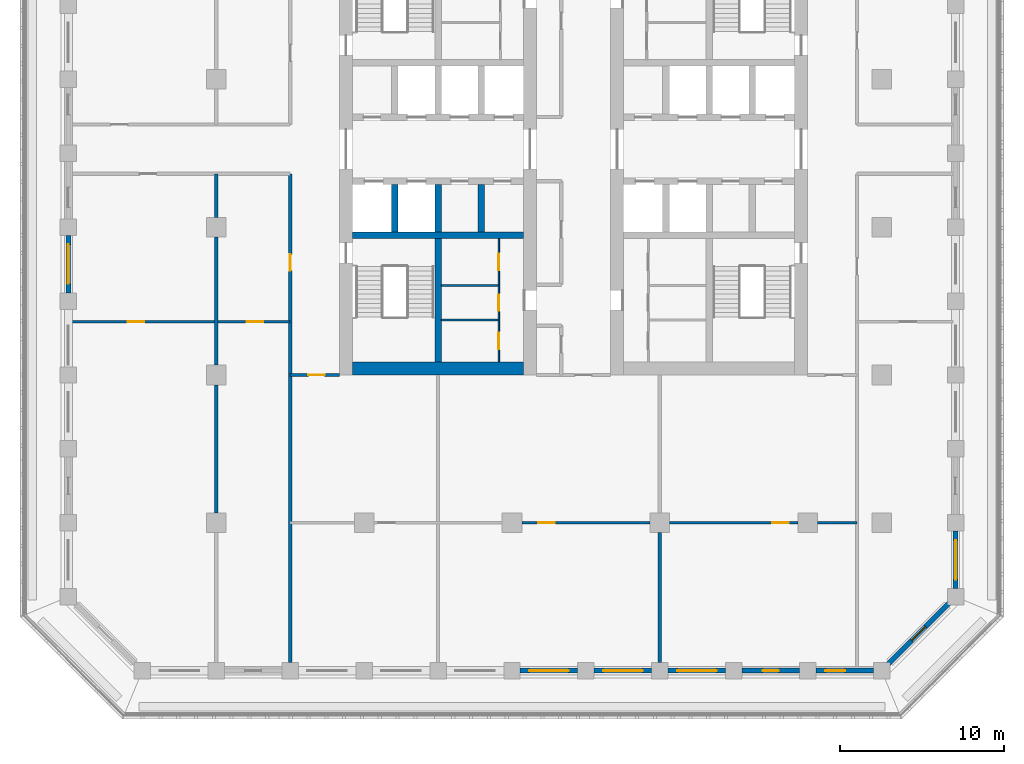
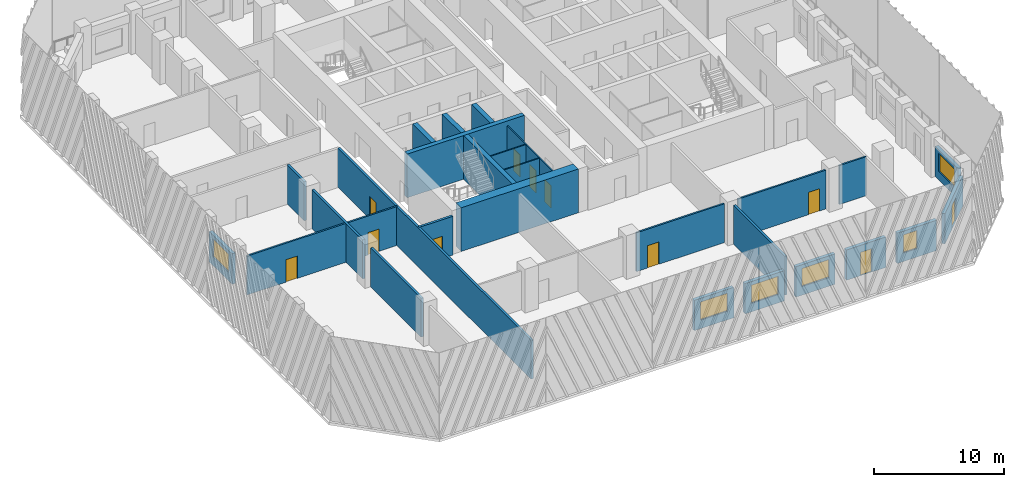
# One storey, part 3 of 16: 29 walls, 11 doors, 6 windows, 17 openings.
"""IFC4 building model written with IfcOpenShell, lengths in metres."""

from ifc_helpers import new_model, si_unit, direction, frame, frame_2d, origin, place, context, subcontext, project, spatial, rectangle, extrude, material, layer, layer_set, type_object, element, fill, save


model = new_model("IFC4")

# Units and contexts
model_context = context("Model", 3, precision=1e-05, world=origin(), true_north=direction((0.0, 1.0)))
body_context = subcontext(model_context, "Body", "Model", "MODEL_VIEW")
ifc_project = project(units=[si_unit("LENGTHUNIT", "METRE"), si_unit("AREAUNIT", "SQUARE_METRE"), si_unit("VOLUMEUNIT", "CUBIC_METRE"), si_unit("PLANEANGLEUNIT", "RADIAN"), si_unit("MASSUNIT", "GRAM", prefix="KILO")], contexts=[model_context])

# Site, building, storey
site_placement = place(None, origin())
site = spatial("IfcSite", under=ifc_project, at=site_placement, CompositionType="ELEMENT")
building_placement = place(site_placement, origin())
building = spatial("IfcBuilding", under=site, at=building_placement, Name="Corbel Stack Research Tower", CompositionType="ELEMENT")
storey_placement = place(building_placement, frame((0.0, 0.0, 173.199951171875)))
storey = spatial("IfcBuildingStorey", under=building, at=storey_placement, Name="L39", CompositionType="ELEMENT", Elevation=173.199951171875)

# Walls
ifc_material_1 = material(Name="Concrete C60/75", Category="concrete")
ifc_layer_1 = layer(ifc_material_1, 0.39990234375)
ifc_layer_set_1 = layer_set([ifc_layer_1], Name="Concrete C60/75")
wall_type_1 = type_object("IfcWallType", Name="CW-400-60", PredefinedType="SHEAR", material=ifc_layer_set_1)
wall_1_placement = place(storey_placement, frame((-9.699951171875, -0.5, 0.0), z_axis=(0.0, 0.0, 1.0), x_axis=(1.0, 0.0, 0.0)))
element("IfcWall", 1, at=wall_1_placement, inside=storey, type_object=wall_type_1, Name="West core wall, south row back L39", PredefinedType="SHEAR", context=body_context, shape_type="SweptSolid", body=[
    extrude(rectangle(XDim=10.39990234375, YDim=0.39990234375, at=frame_2d((5.199951171875, 0.0))), origin(), (0.0, 0.0, 1.0), 4.10009765625),
])
for number, where, z_axis, x_axis, name in (
    (2, (-7.125, -0.300048828125, 0.0), (0.0, 0.0, 1.0), (0.0, 1.0, 0.0), "West core wall, south shaft 1 L39"),
    (3, (-4.5, -0.300048828125, 0.0), (0.0, 0.0, 1.0), (0.0, 1.0, 0.0), "West core wall, south shaft 2 L39"),
    (4, (-1.875, -0.300048828125, 0.0), (0.0, 0.0, 1.0), (0.0, 1.0, 0.0), "West core wall, south shaft 3 L39"),
):
    element("IfcWall", number, at=place(storey_placement, frame(where, z_axis=z_axis, x_axis=x_axis)), inside=storey, type_object=wall_type_1, Name=name, PredefinedType="SHEAR", context=body_context, shape_type="SweptSolid", body=[
        extrude(rectangle(XDim=2.900146484375, YDim=0.39990234375, at=frame_2d((1.4501953125, 0.0))), origin(), (0.0, 0.0, 1.0), 4.10009765625),
    ])
wall_2_placement = place(storey_placement, frame((-4.5, -8.199951171875, 0.0), z_axis=(0.0, 0.0, 1.0), x_axis=(0.0, 1.0, 0.0)))
element("IfcWall", 5, at=wall_2_placement, inside=storey, type_object=wall_type_1, Name="West core wall, south stair and WC L39", PredefinedType="SHEAR", context=body_context, shape_type="SweptSolid", body=[
    extrude(rectangle(XDim=7.5, YDim=0.39990234375, at=frame_2d((3.75, 0.0))), origin(), (0.0, 0.0, 1.0), 4.10009765625),
])
ifc_material_2 = material(Name="Concrete C60/75", Category="concrete")
ifc_layer_2 = layer(ifc_material_2, 0.800048828125)
ifc_layer_set_2 = layer_set([ifc_layer_2], Name="Concrete C60/75")
wall_type_2 = type_object("IfcWallType", Name="CW-800-60", PredefinedType="SHEAR", material=ifc_layer_set_2)
wall_3_placement = place(storey_placement, frame((-9.699951171875, -8.60009765625, 0.0), z_axis=(0.0, 0.0, 1.0), x_axis=(1.0, 0.0, 0.0)))
element("IfcWall", 6, at=wall_3_placement, inside=storey, type_object=wall_type_2, Name="West core wall, south end L39", PredefinedType="SHEAR", context=body_context, shape_type="SweptSolid", body=[
    extrude(rectangle(XDim=10.39990234375, YDim=0.800048828125, at=frame_2d((5.199951171875, 0.0))), origin(), (0.0, 0.0, 1.0), 4.10009765625),
])

# Wall, opening, door
ifc_material_3 = material(Name="Gypsum board")
ifc_layer_3 = layer(ifc_material_3, 0.10009765625)
ifc_layer_set_3 = layer_set([ifc_layer_3], Name="Gypsum board")
wall_type_3 = type_object("IfcWallType", Name="Core partition 100", PredefinedType="PARTITIONING", material=ifc_layer_set_3)
wall_4_placement = place(storey_placement, frame((-0.800048828125, -8.199951171875, 0.0), z_axis=(0.0, 0.0, 1.0), x_axis=(0.0, 1.0, 0.0)))
wall_4 = element("IfcWall", 7, at=wall_4_placement, inside=storey, type_object=wall_type_3, Name="Core partition W", PredefinedType="PARTITIONING", context=body_context, shape_type="SweptSolid", body=[
    extrude(rectangle(XDim=2.550048828125, YDim=0.10009765625, at=frame_2d((1.27490234375, 0.0))), origin(), (0.0, 0.0, 1.0), 3.650146484375),
])
opening_1_placement = place(wall_4_placement, frame((0.77490234375, 0.0, 0.0)))
opening_1 = element("IfcOpeningElement", 8, at=opening_1_placement, cuts=wall_4, Name="Opening CR-W12-W2-1000", PredefinedType="OPENING", context=body_context, shape_type="SweptSolid", body=[
    extrude(rectangle(XDim=1.0, YDim=2.10009765625, at=frame_2d((0.5, 1.050048828125))), frame((0.0, 0.06005859375, 0.0), z_axis=(0.0, -1.0, 0.0), x_axis=(1.0, 0.0, 0.0)), (0.0, 0.0, 1.0), 0.1201171875),
])
ifc_material_4 = material(Name="Painted timber door", Category="wood")
door_type_1 = type_object("IfcDoorType", Name="WC door 1000 x 2100 right hand", OperationType="SINGLE_SWING_RIGHT", PredefinedType="DOOR", material=ifc_material_4)
door_1_placement = place(opening_1_placement, origin())
door_1 = element("IfcDoor", 9, at=door_1_placement, inside=storey, type_object=door_type_1, Name="Men's WC door W core", OperationType="SINGLE_SWING_RIGHT", OverallHeight=2.10009765625, OverallWidth=1.0, PredefinedType="DOOR", context=body_context, shape_type="SweptSolid", body=[
    extrude(rectangle(XDim=1.0, YDim=2.10009765625, at=frame_2d((0.5, 1.050048828125))), frame((0.0, 0.02490234375, 0.0), z_axis=(0.0, -1.0, 0.0), x_axis=(1.0, 0.0, 0.0)), (0.0, 0.0, 1.0), 0.050048828125),
])
fill(opening_1, door_1)

wall_5_placement = place(storey_placement, frame((-0.800048828125, -5.64990234375, 0.0), z_axis=(0.0, 0.0, 1.0), x_axis=(0.0, 1.0, 0.0)))
wall_5 = element("IfcWall", 10, at=wall_5_placement, inside=storey, type_object=wall_type_3, Name="Core partition W", PredefinedType="PARTITIONING", context=body_context, shape_type="SweptSolid", body=[
    extrude(rectangle(XDim=2.099853515625, YDim=0.10009765625, at=frame_2d((1.0498046875, 0.0))), origin(), (0.0, 0.0, 1.0), 3.650146484375),
])
opening_2_placement = place(wall_5_placement, frame((0.550048828125, 0.0, 0.0)))
opening_2 = element("IfcOpeningElement", 11, at=opening_2_placement, cuts=wall_5, Name="Opening CR-W12-W3-1000", PredefinedType="OPENING", context=body_context, shape_type="SweptSolid", body=[
    extrude(rectangle(XDim=1.0, YDim=2.10009765625, at=frame_2d((0.5, 1.050048828125))), frame((0.0, 0.06005859375, 0.0), z_axis=(0.0, -1.0, 0.0), x_axis=(1.0, 0.0, 0.0)), (0.0, 0.0, 1.0), 0.1201171875),
])
ifc_material_5 = material(Name="Painted timber door", Category="wood")
door_type_2 = type_object("IfcDoorType", Name="WC door 1000 x 2100 left hand", OperationType="SINGLE_SWING_LEFT", PredefinedType="DOOR", material=ifc_material_5)
door_2_placement = place(opening_2_placement, origin())
door_2 = element("IfcDoor", 12, at=door_2_placement, inside=storey, type_object=door_type_2, Name="Accessible WC door W core", OperationType="SINGLE_SWING_LEFT", OverallHeight=2.10009765625, OverallWidth=1.0, PredefinedType="DOOR", context=body_context, shape_type="SweptSolid", body=[
    extrude(rectangle(XDim=1.0, YDim=2.10009765625, at=frame_2d((0.5, 1.050048828125))), frame((0.0, 0.02490234375, 0.0), z_axis=(0.0, -1.0, 0.0), x_axis=(1.0, 0.0, 0.0)), (0.0, 0.0, 1.0), 0.050048828125),
])
fill(opening_2, door_2)

wall_6_placement = place(storey_placement, frame((-0.800048828125, -3.550048828125, 0.0), z_axis=(0.0, 0.0, 1.0), x_axis=(0.0, 1.0, 0.0)))
wall_6 = element("IfcWall", 13, at=wall_6_placement, inside=storey, type_object=wall_type_3, Name="Core partition W", PredefinedType="PARTITIONING", context=body_context, shape_type="SweptSolid", body=[
    extrude(rectangle(XDim=2.85009765625, YDim=0.10009765625, at=frame_2d((1.425048828125, 0.0))), origin(), (0.0, 0.0, 1.0), 3.650146484375),
])
opening_3_placement = place(wall_6_placement, frame((0.925048828125, 0.0, 0.0)))
opening_3 = element("IfcOpeningElement", 14, at=opening_3_placement, cuts=wall_6, Name="Opening CR-W12-W4-1000", PredefinedType="OPENING", context=body_context, shape_type="SweptSolid", body=[
    extrude(rectangle(XDim=1.0, YDim=2.10009765625, at=frame_2d((0.5, 1.050048828125))), frame((0.0, 0.06005859375, 0.0), z_axis=(0.0, -1.0, 0.0), x_axis=(1.0, 0.0, 0.0)), (0.0, 0.0, 1.0), 0.1201171875),
])
door_3_placement = place(opening_3_placement, origin())
door_3 = element("IfcDoor", 15, at=door_3_placement, inside=storey, type_object=door_type_1, Name="Women's WC door W core", OperationType="SINGLE_SWING_RIGHT", OverallHeight=2.10009765625, OverallWidth=1.0, PredefinedType="DOOR", context=body_context, shape_type="SweptSolid", body=[
    extrude(rectangle(XDim=1.0, YDim=2.10009765625, at=frame_2d((0.5, 1.050048828125))), frame((0.0, 0.02490234375, 0.0), z_axis=(0.0, -1.0, 0.0), x_axis=(1.0, 0.0, 0.0)), (0.0, 0.0, 1.0), 0.050048828125),
])
fill(opening_3, door_3)

# Walls
for number, where, z_axis, x_axis, name in (
    (16, (-4.300048828125, -5.64990234375, 0.0), (0.0, 0.0, 1.0), (1.0, 0.0, 0.0), "Core partition W"),
    (17, (-4.300048828125, -3.550048828125, 0.0), (0.0, 0.0, 1.0), (1.0, 0.0, 0.0), "Core partition W"),
):
    element("IfcWall", number, at=place(storey_placement, frame(where, z_axis=z_axis, x_axis=x_axis)), inside=storey, type_object=wall_type_3, Name=name, PredefinedType="PARTITIONING", context=body_context, shape_type="SweptSolid", body=[
        extrude(rectangle(XDim=3.5, YDim=0.10009765625, at=frame_2d((1.75, 0.0))), origin(), (0.0, 0.0, 1.0), 3.650146484375),
    ])
ifc_material_6 = material(Name="Fire-rated gypsum board partition on steel studs", Category="steel")
ifc_layer_4 = layer(ifc_material_6, 0.199951171875)
ifc_layer_set_4 = layer_set([ifc_layer_4], Name="Fire-rated gypsum board partition on steel studs")
wall_type_4 = type_object("IfcWallType", Name="Fire-rated partition 200 EI 60", PredefinedType="PARTITIONING", material=ifc_layer_set_4)
for number, where, z_axis, x_axis, name in (
    (18, (-18.0, -17.39990234375, 0.0), (0.0, 0.0, 1.0), (0.0, 1.0, 0.0), "Partition L39-002"),
    (19, (-18.0, -8.39990234375, 0.0), (0.0, 0.0, 1.0), (0.0, 1.0, 0.0), "Partition L39-003"),
):
    element("IfcWall", number, at=place(storey_placement, frame(where, z_axis=z_axis, x_axis=x_axis)), inside=storey, type_object=wall_type_4, Name=name, PredefinedType="PARTITIONING", context=body_context, shape_type="SweptSolid", body=[
        extrude(rectangle(XDim=7.7998046875, YDim=0.199951171875, at=frame_2d((3.89990234375, 0.0))), origin(), (0.0, 0.0, 1.0), 3.650146484375),
    ])
wall_7_placement = place(storey_placement, frame((-18.0, 0.60009765625, 0.0), z_axis=(0.0, 0.0, 1.0), x_axis=(0.0, 1.0, 0.0)))
element("IfcWall", 20, at=wall_7_placement, inside=storey, type_object=wall_type_4, Name="Partition L39-004", PredefinedType="PARTITIONING", context=body_context, shape_type="SweptSolid", body=[
    extrude(rectangle(XDim=2.64990234375, YDim=0.199951171875, at=frame_2d((1.324951171875, 0.0))), origin(), (0.0, 0.0, 1.0), 3.650146484375),
])

# Wall, opening, door
wall_8_placement = place(storey_placement, frame((-13.5, -26.5, 0.0), z_axis=(0.0, 0.0, 1.0), x_axis=(0.0, 1.0, 0.0)))
wall_8 = element("IfcWall", 21, at=wall_8_placement, inside=storey, type_object=wall_type_4, Name="Partition L39-009", PredefinedType="PARTITIONING", context=body_context, shape_type="SweptSolid", body=[
    extrude(rectangle(XDim=29.75, YDim=0.199951171875, at=frame_2d((14.875, 0.0))), origin(), (0.0, 0.0, 1.0), 3.650146484375),
])
opening_4_placement = place(wall_8_placement, frame((23.85009765625, 0.0, 0.0)))
opening_4 = element("IfcOpeningElement", 22, at=opening_4_placement, cuts=wall_8, Name="Opening B5V1-004", PredefinedType="OPENING", context=body_context, shape_type="SweptSolid", body=[
    extrude(rectangle(XDim=1.0, YDim=2.10009765625, at=frame_2d((0.5, 1.050048828125))), frame((0.0, 0.10986328125, 0.0), z_axis=(0.0, -1.0, 0.0), x_axis=(1.0, 0.0, 0.0)), (0.0, 0.0, 1.0), 0.219970703125),
])
ifc_material_7 = material(Name="Painted steel fire door", Category="steel")
door_type_3 = type_object("IfcDoorType", Name="Fire door FD30S 1000 x 2100", OperationType="NOTDEFINED", PredefinedType="DOOR", material=ifc_material_7)
door_4_placement = place(opening_4_placement, origin())
door_4 = element("IfcDoor", 23, at=door_4_placement, inside=storey, type_object=door_type_3, Name="Door B5V1-004", OperationType="SINGLE_SWING_RIGHT", OverallHeight=2.10009765625, OverallWidth=1.0, PredefinedType="DOOR", context=body_context, shape_type="SweptSolid", body=[
    extrude(rectangle(XDim=1.0, YDim=2.10009765625, at=frame_2d((0.5, 1.050048828125))), frame((0.0, 0.02490234375, 0.0), z_axis=(0.0, -1.0, 0.0), x_axis=(1.0, 0.0, 0.0)), (0.0, 0.0, 1.0), 0.050048828125),
])
fill(opening_4, door_4)

# Wall
wall_9_placement = place(storey_placement, frame((9.0, -26.5, 0.0), z_axis=(0.0, 0.0, 1.0), x_axis=(0.0, 1.0, 0.0)))
element("IfcWall", 24, at=wall_9_placement, inside=storey, type_object=wall_type_4, Name="Partition L39-016", PredefinedType="PARTITIONING", context=body_context, shape_type="SweptSolid", body=[
    extrude(rectangle(XDim=7.89990234375, YDim=0.199951171875, at=frame_2d((3.949951171875, 0.0))), origin(), (0.0, 0.0, 1.0), 3.650146484375),
])

# Wall, opening, door
wall_10_placement = place(storey_placement, frame((-10.5, -9.0, 0.0), z_axis=(0.0, 0.0, 1.0), x_axis=(-1.0, 0.0, 0.0)))
wall_10 = element("IfcWall", 25, at=wall_10_placement, inside=storey, type_object=wall_type_4, Name="Partition L39-027", PredefinedType="PARTITIONING", context=body_context, shape_type="SweptSolid", body=[
    extrude(rectangle(XDim=3.0, YDim=0.199951171875, at=frame_2d((1.5, 0.0))), origin(), (0.0, 0.0, 1.0), 3.650146484375),
])
opening_5_placement = place(wall_10_placement, frame((0.89990234375, 0.0, 0.0)))
opening_5 = element("IfcOpeningElement", 26, at=opening_5_placement, cuts=wall_10, Name="Opening B5V1-006", PredefinedType="OPENING", context=body_context, shape_type="SweptSolid", body=[
    extrude(rectangle(XDim=1.0, YDim=2.10009765625, at=frame_2d((0.5, 1.050048828125))), frame((0.0, 0.10986328125, 0.0), z_axis=(0.0, -1.0, 0.0), x_axis=(1.0, 0.0, 0.0)), (0.0, 0.0, 1.0), 0.219970703125),
])
door_5_placement = place(opening_5_placement, origin())
door_5 = element("IfcDoor", 27, at=door_5_placement, inside=storey, type_object=door_type_3, Name="Door B5V1-006", OperationType="SINGLE_SWING_LEFT", OverallHeight=2.10009765625, OverallWidth=1.0, PredefinedType="DOOR", context=body_context, shape_type="SweptSolid", body=[
    extrude(rectangle(XDim=1.0, YDim=2.10009765625, at=frame_2d((0.5, 1.050048828125))), frame((0.0, 0.02490234375, 0.0), z_axis=(0.0, -1.0, 0.0), x_axis=(1.0, 0.0, 0.0)), (0.0, 0.0, 1.0), 0.050048828125),
])
fill(opening_5, door_5)

ifc_material_8 = material(Name="Gypsum board partition on steel studs", Category="steel")
ifc_layer_5 = layer(ifc_material_8, 0.14990234375)
ifc_layer_set_5 = layer_set([ifc_layer_5], Name="Gypsum board partition on steel studs")
wall_type_5 = type_object("IfcWallType", Name="Partition 150", PredefinedType="PARTITIONING", material=ifc_layer_set_5)
wall_11_placement = place(storey_placement, frame((8.39990234375, -18.0, 0.0), z_axis=(0.0, 0.0, 1.0), x_axis=(-1.0, 0.0, 0.0)))
wall_11 = element("IfcWall", 28, at=wall_11_placement, inside=storey, type_object=wall_type_5, Name="Partition L39-024", PredefinedType="PARTITIONING", context=body_context, shape_type="SweptSolid", body=[
    extrude(rectangle(XDim=7.7998046875, YDim=0.14990234375, at=frame_2d((3.89990234375, 0.0))), origin(), (0.0, 0.0, 1.0), 3.650146484375),
])
opening_6_placement = place(wall_11_placement, frame((5.800048828125, 0.0, 0.0)))
opening_6 = element("IfcOpeningElement", 29, at=opening_6_placement, cuts=wall_11, Name="Opening B5V1-002", PredefinedType="OPENING", context=body_context, shape_type="SweptSolid", body=[
    extrude(rectangle(XDim=1.0, YDim=2.10009765625, at=frame_2d((0.5, 1.050048828125))), frame((0.0, 0.0849609375, 0.0), z_axis=(0.0, -1.0, 0.0), x_axis=(1.0, 0.0, 0.0)), (0.0, 0.0, 1.0), 0.169921875),
])
ifc_material_9 = material(Name="Painted timber door", Category="wood")
door_type_4 = type_object("IfcDoorType", Name="Single door 1000 x 2100", OperationType="NOTDEFINED", PredefinedType="DOOR", material=ifc_material_9)
door_6_placement = place(opening_6_placement, origin())
door_6 = element("IfcDoor", 30, at=door_6_placement, inside=storey, type_object=door_type_4, Name="Door B5V1-002", OperationType="SINGLE_SWING_RIGHT", OverallHeight=2.10009765625, OverallWidth=1.0, PredefinedType="DOOR", context=body_context, shape_type="SweptSolid", body=[
    extrude(rectangle(XDim=1.0, YDim=2.10009765625, at=frame_2d((0.5, 1.050048828125))), frame((0.0, 0.02490234375, 0.0), z_axis=(0.0, -1.0, 0.0), x_axis=(1.0, 0.0, 0.0)), (0.0, 0.0, 1.0), 0.050048828125),
])
fill(opening_6, door_6)

wall_12_placement = place(storey_placement, frame((17.39990234375, -18.0, 0.0), z_axis=(0.0, 0.0, 1.0), x_axis=(-1.0, 0.0, 0.0)))
wall_12 = element("IfcWall", 31, at=wall_12_placement, inside=storey, type_object=wall_type_5, Name="Partition L39-025", PredefinedType="PARTITIONING", context=body_context, shape_type="SweptSolid", body=[
    extrude(rectangle(XDim=7.7998046875, YDim=0.14990234375, at=frame_2d((3.89990234375, 0.0))), origin(), (0.0, 0.0, 1.0), 3.650146484375),
])
opening_7_placement = place(wall_12_placement, frame((0.550048828125, 0.0, 0.0)))
opening_7 = element("IfcOpeningElement", 32, at=opening_7_placement, cuts=wall_12, Name="Opening B5V1-003", PredefinedType="OPENING", context=body_context, shape_type="SweptSolid", body=[
    extrude(rectangle(XDim=1.0, YDim=2.10009765625, at=frame_2d((0.5, 1.050048828125))), frame((0.0, 0.0849609375, 0.0), z_axis=(0.0, -1.0, 0.0), x_axis=(1.0, 0.0, 0.0)), (0.0, 0.0, 1.0), 0.169921875),
])
door_7_placement = place(opening_7_placement, origin())
door_7 = element("IfcDoor", 33, at=door_7_placement, inside=storey, type_object=door_type_4, Name="Door B5V1-003", OperationType="SINGLE_SWING_LEFT", OverallHeight=2.10009765625, OverallWidth=1.0, PredefinedType="DOOR", context=body_context, shape_type="SweptSolid", body=[
    extrude(rectangle(XDim=1.0, YDim=2.10009765625, at=frame_2d((0.5, 1.050048828125))), frame((0.0, 0.02490234375, 0.0), z_axis=(0.0, -1.0, 0.0), x_axis=(1.0, 0.0, 0.0)), (0.0, 0.0, 1.0), 0.050048828125),
])
fill(opening_7, door_7)

# Wall
wall_13_placement = place(storey_placement, frame((18.60009765625, -18.0, 0.0), z_axis=(0.0, 0.0, 1.0), x_axis=(1.0, 0.0, 0.0)))
element("IfcWall", 34, at=wall_13_placement, inside=storey, type_object=wall_type_5, Name="Partition L39-026", PredefinedType="PARTITIONING", context=body_context, shape_type="SweptSolid", body=[
    extrude(rectangle(XDim=2.39990234375, YDim=0.14990234375, at=frame_2d((1.199951171875, 0.0))), origin(), (0.0, 0.0, 1.0), 3.650146484375),
])

# Wall, openings, doors
wall_14_placement = place(storey_placement, frame((-13.5, -5.75, 0.0), z_axis=(0.0, 0.0, 1.0), x_axis=(-1.0, 0.0, 0.0)))
wall_14 = element("IfcWall", 35, at=wall_14_placement, inside=storey, type_object=wall_type_5, Name="Partition L39-031", PredefinedType="PARTITIONING", context=body_context, shape_type="SweptSolid", body=[
    extrude(rectangle(XDim=13.35009765625, YDim=0.14990234375, at=frame_2d((6.675048828125, 0.0))), origin(), (0.0, 0.0, 1.0), 3.650146484375),
])
opening_8_placement = place(wall_14_placement, frame((8.89990234375, 0.0, 0.0)))
opening_8 = element("IfcOpeningElement", 36, at=opening_8_placement, cuts=wall_14, Name="Opening B5V1-009", PredefinedType="OPENING", context=body_context, shape_type="SweptSolid", body=[
    extrude(rectangle(XDim=1.0, YDim=2.10009765625, at=frame_2d((0.5, 1.050048828125))), frame((0.0, 0.0849609375, 0.0), z_axis=(0.0, -1.0, 0.0), x_axis=(1.0, 0.0, 0.0)), (0.0, 0.0, 1.0), 0.169921875),
])
opening_9_placement = place(wall_14_placement, frame((1.64990234375, 0.0, 0.0)))
opening_9 = element("IfcOpeningElement", 37, at=opening_9_placement, cuts=wall_14, Name="Opening B5V1-010", PredefinedType="OPENING", context=body_context, shape_type="SweptSolid", body=[
    extrude(rectangle(XDim=1.0, YDim=2.10009765625, at=frame_2d((0.5, 1.050048828125))), frame((0.0, 0.0849609375, 0.0), z_axis=(0.0, -1.0, 0.0), x_axis=(1.0, 0.0, 0.0)), (0.0, 0.0, 1.0), 0.169921875),
])
door_8_placement = place(opening_8_placement, origin())
door_8 = element("IfcDoor", 38, at=door_8_placement, inside=storey, type_object=door_type_4, Name="Door B5V1-009", OperationType="SINGLE_SWING_RIGHT", OverallHeight=2.10009765625, OverallWidth=1.0, PredefinedType="DOOR", context=body_context, shape_type="SweptSolid", body=[
    extrude(rectangle(XDim=1.0, YDim=2.10009765625, at=frame_2d((0.5, 1.050048828125))), frame((0.0, 0.02490234375, 0.0), z_axis=(0.0, -1.0, 0.0), x_axis=(1.0, 0.0, 0.0)), (0.0, 0.0, 1.0), 0.050048828125),
])
fill(opening_8, door_8)
door_9_placement = place(opening_9_placement, origin())
door_9 = element("IfcDoor", 39, at=door_9_placement, inside=storey, type_object=door_type_4, Name="Door B5V1-010", OperationType="SINGLE_SWING_LEFT", OverallHeight=2.10009765625, OverallWidth=1.0, PredefinedType="DOOR", context=body_context, shape_type="SweptSolid", body=[
    extrude(rectangle(XDim=1.0, YDim=2.10009765625, at=frame_2d((0.5, 1.050048828125))), frame((0.0, 0.02490234375, 0.0), z_axis=(0.0, -1.0, 0.0), x_axis=(1.0, 0.0, 0.0)), (0.0, 0.0, 1.0), 0.050048828125),
])
fill(opening_9, door_9)

# Wall, opening, window
ifc_material_10 = material(Name="Concrete C45/55", Category="concrete")
ifc_layer_6 = layer(ifc_material_10, 0.300048828125)
ifc_layer_set_6 = layer_set([ifc_layer_6], Name="Concrete C45/55")
wall_type_6 = type_object("IfcWallType", Name="Terracotta-faced concrete wall 300", PredefinedType="SOLIDWALL", material=ifc_layer_set_6)
wall_15_placement = place(storey_placement, frame((4.0, -27.0, 0.0), z_axis=(0.0, 0.0, 1.0), x_axis=(-1.0, 0.0, 0.0)))
wall_15 = element("IfcWall", 40, at=wall_15_placement, inside=storey, type_object=wall_type_6, Name="Facade wall L39 S06", PredefinedType="SOLIDWALL", context=body_context, shape_type="SweptSolid", body=[
    extrude(rectangle(XDim=3.5, YDim=0.300048828125, at=frame_2d((1.75, 0.0))), origin(), (0.0, 0.0, 1.0), 2.85009765625),
])
opening_10_placement = place(wall_15_placement, frame((0.550048828125, 0.0, 0.800048828125)))
opening_10 = element("IfcOpeningElement", 41, at=opening_10_placement, cuts=wall_15, Name="Opening W1", PredefinedType="OPENING", context=body_context, shape_type="SweptSolid", body=[
    extrude(rectangle(XDim=2.39990234375, YDim=1.699951171875, at=frame_2d((1.199951171875, 0.85009765625))), frame((0.0, 0.159912109375, 0.0), z_axis=(0.0, -1.0, 0.0), x_axis=(1.0, 0.0, 0.0)), (0.0, 0.0, 1.0), 0.320068359375),
])
ifc_material_11 = material(Name="Aluminium frame, clear double glazing", Category="aluminium")
window_type_1 = type_object("IfcWindowType", Name="Window W1 2400 x 1700", PartitioningType="SINGLE_PANEL", PredefinedType="WINDOW", material=ifc_material_11)
window_1_placement = place(opening_10_placement, origin())
window_1 = element("IfcWindow", 42, at=window_1_placement, inside=storey, type_object=window_type_1, Name="Window W1 L39 S06", OverallHeight=1.699951171875, OverallWidth=2.39990234375, PartitioningType="SINGLE_PANEL", PredefinedType="WINDOW", context=body_context, shape_type="SweptSolid", body=[
    extrude(rectangle(XDim=2.39990234375, YDim=1.699951171875, at=frame_2d((1.199951171875, 0.85009765625))), frame((0.0, 0.030029296875, 0.0), z_axis=(0.0, -1.0, 0.0), x_axis=(1.0, 0.0, 0.0)), (0.0, 0.0, 1.0), 0.06005859375),
])
fill(opening_10, window_1)

wall_16_placement = place(storey_placement, frame((8.5, -27.0, 0.0), z_axis=(0.0, 0.0, 1.0), x_axis=(-1.0, 0.0, 0.0)))
wall_16 = element("IfcWall", 43, at=wall_16_placement, inside=storey, type_object=wall_type_6, Name="Facade wall L39 S07", PredefinedType="SOLIDWALL", context=body_context, shape_type="SweptSolid", body=[
    extrude(rectangle(XDim=3.5, YDim=0.300048828125, at=frame_2d((1.75, 0.0))), origin(), (0.0, 0.0, 1.0), 2.85009765625),
])
opening_11_placement = place(wall_16_placement, frame((0.550048828125, 0.0, 0.800048828125)))
opening_11 = element("IfcOpeningElement", 44, at=opening_11_placement, cuts=wall_16, Name="Opening W1", PredefinedType="OPENING", context=body_context, shape_type="SweptSolid", body=[
    extrude(rectangle(XDim=2.39990234375, YDim=1.699951171875, at=frame_2d((1.199951171875, 0.85009765625))), frame((0.0, 0.159912109375, 0.0), z_axis=(0.0, -1.0, 0.0), x_axis=(1.0, 0.0, 0.0)), (0.0, 0.0, 1.0), 0.320068359375),
])
window_2_placement = place(opening_11_placement, origin())
window_2 = element("IfcWindow", 45, at=window_2_placement, inside=storey, type_object=window_type_1, Name="Window W1 L39 S07", OverallHeight=1.699951171875, OverallWidth=2.39990234375, PartitioningType="SINGLE_PANEL", PredefinedType="WINDOW", context=body_context, shape_type="SweptSolid", body=[
    extrude(rectangle(XDim=2.39990234375, YDim=1.699951171875, at=frame_2d((1.199951171875, 0.85009765625))), frame((0.0, 0.030029296875, 0.0), z_axis=(0.0, -1.0, 0.0), x_axis=(1.0, 0.0, 0.0)), (0.0, 0.0, 1.0), 0.06005859375),
])
fill(opening_11, window_2)

wall_17_placement = place(storey_placement, frame((13.0, -27.0, 0.0), z_axis=(0.0, 0.0, 1.0), x_axis=(-1.0, 0.0, 0.0)))
wall_17 = element("IfcWall", 46, at=wall_17_placement, inside=storey, type_object=wall_type_6, Name="Facade wall L39 S08", PredefinedType="SOLIDWALL", context=body_context, shape_type="SweptSolid", body=[
    extrude(rectangle(XDim=3.5, YDim=0.300048828125, at=frame_2d((1.75, 0.0))), origin(), (0.0, 0.0, 1.0), 2.85009765625),
])
opening_12_placement = place(wall_17_placement, frame((0.550048828125, 0.0, 0.800048828125)))
opening_12 = element("IfcOpeningElement", 47, at=opening_12_placement, cuts=wall_17, Name="Opening W1", PredefinedType="OPENING", context=body_context, shape_type="SweptSolid", body=[
    extrude(rectangle(XDim=2.39990234375, YDim=1.699951171875, at=frame_2d((1.199951171875, 0.85009765625))), frame((0.0, 0.159912109375, 0.0), z_axis=(0.0, -1.0, 0.0), x_axis=(1.0, 0.0, 0.0)), (0.0, 0.0, 1.0), 0.320068359375),
])
window_3_placement = place(opening_12_placement, origin())
window_3 = element("IfcWindow", 48, at=window_3_placement, inside=storey, type_object=window_type_1, Name="Window W1 L39 S08", OverallHeight=1.699951171875, OverallWidth=2.39990234375, PartitioningType="SINGLE_PANEL", PredefinedType="WINDOW", context=body_context, shape_type="SweptSolid", body=[
    extrude(rectangle(XDim=2.39990234375, YDim=1.699951171875, at=frame_2d((1.199951171875, 0.85009765625))), frame((0.0, 0.030029296875, 0.0), z_axis=(0.0, -1.0, 0.0), x_axis=(1.0, 0.0, 0.0)), (0.0, 0.0, 1.0), 0.06005859375),
])
fill(opening_12, window_3)

# Wall, opening, door
wall_18_placement = place(storey_placement, frame((17.5, -27.0, 0.0), z_axis=(0.0, 0.0, 1.0), x_axis=(-1.0, 0.0, 0.0)))
wall_18 = element("IfcWall", 49, at=wall_18_placement, inside=storey, type_object=wall_type_6, Name="Facade wall L39 S09", PredefinedType="SOLIDWALL", context=body_context, shape_type="SweptSolid", body=[
    extrude(rectangle(XDim=3.5, YDim=0.300048828125, at=frame_2d((1.75, 0.0))), origin(), (0.0, 0.0, 1.0), 2.85009765625),
])
opening_13_placement = place(wall_18_placement, frame((1.25, 0.0, 0.0)))
opening_13 = element("IfcOpeningElement", 50, at=opening_13_placement, cuts=wall_18, Name="Opening L39-B02", PredefinedType="OPENING", context=body_context, shape_type="SweptSolid", body=[
    extrude(rectangle(XDim=1.0, YDim=2.199951171875, at=frame_2d((0.5, 1.10009765625))), frame((0.0, 0.159912109375, 0.0), z_axis=(0.0, -1.0, 0.0), x_axis=(1.0, 0.0, 0.0)), (0.0, 0.0, 1.0), 0.320068359375),
])
ifc_material_12 = material(Name="Aluminium frame, clear double glazing", Category="aluminium")
door_type_5 = type_object("IfcDoorType", Name="Balcony door BD1 1000 x 2200", OperationType="NOTDEFINED", PredefinedType="DOOR", material=ifc_material_12)
door_10_placement = place(opening_13_placement, origin())
door_10 = element("IfcDoor", 51, at=door_10_placement, inside=storey, type_object=door_type_5, Name="Balcony door L39-B02", OperationType="SINGLE_SWING_RIGHT", OverallHeight=2.199951171875, OverallWidth=1.0, PredefinedType="DOOR", context=body_context, shape_type="SweptSolid", body=[
    extrude(rectangle(XDim=1.0, YDim=2.199951171875, at=frame_2d((0.5, 1.10009765625))), frame((0.0, 0.02490234375, 0.0), z_axis=(0.0, -1.0, 0.0), x_axis=(1.0, 0.0, 0.0)), (0.0, 0.0, 1.0), 0.050048828125),
])
fill(opening_13, door_10)

# Wall, opening, window
wall_19_placement = place(storey_placement, frame((22.0, -27.0, 0.0), z_axis=(0.0, 0.0, 1.0), x_axis=(-1.0, 0.0, 0.0)))
wall_19 = element("IfcWall", 52, at=wall_19_placement, inside=storey, type_object=wall_type_6, Name="Facade wall L39 S10", PredefinedType="SOLIDWALL", context=body_context, shape_type="SweptSolid", body=[
    extrude(rectangle(XDim=3.5, YDim=0.300048828125, at=frame_2d((1.75, 0.0))), origin(), (0.0, 0.0, 1.0), 2.85009765625),
])
opening_14_placement = place(wall_19_placement, frame((1.72509765625, 0.0, 0.800048828125)))
opening_14 = element("IfcOpeningElement", 53, at=opening_14_placement, cuts=wall_19, Name="Opening W2", PredefinedType="OPENING", context=body_context, shape_type="SweptSolid", body=[
    extrude(rectangle(XDim=1.199951171875, YDim=1.699951171875, at=frame_2d((0.60009765625, 0.85009765625))), frame((0.0, 0.159912109375, 0.0), z_axis=(0.0, -1.0, 0.0), x_axis=(1.0, 0.0, 0.0)), (0.0, 0.0, 1.0), 0.320068359375),
])
ifc_material_13 = material(Name="Aluminium frame, clear double glazing", Category="aluminium")
window_type_2 = type_object("IfcWindowType", Name="Window W2 1200 x 1700", PartitioningType="SINGLE_PANEL", PredefinedType="WINDOW", material=ifc_material_13)
window_4_placement = place(opening_14_placement, origin())
window_4 = element("IfcWindow", 54, at=window_4_placement, inside=storey, type_object=window_type_2, Name="Window W2 L39 S10", OverallHeight=1.699951171875, OverallWidth=1.199951171875, PartitioningType="SINGLE_PANEL", PredefinedType="WINDOW", context=body_context, shape_type="SweptSolid", body=[
    extrude(rectangle(XDim=1.199951171875, YDim=1.699951171875, at=frame_2d((0.60009765625, 0.85009765625))), frame((0.0, 0.030029296875, 0.0), z_axis=(0.0, -1.0, 0.0), x_axis=(1.0, 0.0, 0.0)), (0.0, 0.0, 1.0), 0.06005859375),
])
fill(opening_14, window_4)

# Wall, opening, door
wall_20_placement = place(storey_placement, frame((26.606201171875, -22.893798828125, 0.0), z_axis=(0.0, 0.0, 1.0), x_axis=(-0.707106781187, -0.707106781187, 0.0)))
wall_20 = element("IfcWall", 55, at=wall_20_placement, inside=storey, type_object=wall_type_6, Name="Facade wall L39 SE01", PredefinedType="SOLIDWALL", context=body_context, shape_type="SweptSolid", body=[
    extrude(rectangle(XDim=5.250244140625, YDim=0.300048828125, at=frame_2d((2.625, 0.0))), origin(), (0.0, 0.0, 1.0), 2.85009765625),
])
opening_15_placement = place(wall_20_placement, frame((2.02490234375, 0.0, 0.0)))
opening_15 = element("IfcOpeningElement", 56, at=opening_15_placement, cuts=wall_20, Name="Opening L39-B03", PredefinedType="OPENING", context=body_context, shape_type="SweptSolid", body=[
    extrude(rectangle(XDim=1.199951171875, YDim=2.199951171875, at=frame_2d((0.60009765625, 1.10009765625))), frame((0.0, 0.159912109375, 0.0), z_axis=(0.0, -1.0, 0.0), x_axis=(1.0, 0.0, 0.0)), (0.0, 0.0, 1.0), 0.320068359375),
])
ifc_material_14 = material(Name="Aluminium frame, clear double glazing", Category="aluminium")
door_type_6 = type_object("IfcDoorType", Name="Balcony door BD2 1200 x 2200", OperationType="NOTDEFINED", PredefinedType="DOOR", material=ifc_material_14)
door_11_placement = place(opening_15_placement, origin())
door_11 = element("IfcDoor", 57, at=door_11_placement, inside=storey, type_object=door_type_6, Name="Balcony door L39-B03", OperationType="SINGLE_SWING_RIGHT", OverallHeight=2.199951171875, OverallWidth=1.199951171875, PredefinedType="DOOR", context=body_context, shape_type="SweptSolid", body=[
    extrude(rectangle(XDim=1.199951171875, YDim=2.199951171875, at=frame_2d((0.60009765625, 1.10009765625))), frame((0.0, 0.02490234375, 0.0), z_axis=(0.0, -1.0, 0.0), x_axis=(1.0, 0.0, 0.0)), (0.0, 0.0, 1.0), 0.050048828125),
])
fill(opening_15, door_11)

# Wall, opening, window
wall_21_placement = place(storey_placement, frame((27.0, -18.5, 0.0), z_axis=(0.0, 0.0, 1.0), x_axis=(0.0, -1.0, 0.0)))
wall_21 = element("IfcWall", 58, at=wall_21_placement, inside=storey, type_object=wall_type_6, Name="Facade wall L39 E01", PredefinedType="SOLIDWALL", context=body_context, shape_type="SweptSolid", body=[
    extrude(rectangle(XDim=3.5, YDim=0.300048828125, at=frame_2d((1.75, 0.0))), origin(), (0.0, 0.0, 1.0), 2.85009765625),
])
opening_16_placement = place(wall_21_placement, frame((0.550048828125, 0.0, 0.800048828125)))
opening_16 = element("IfcOpeningElement", 59, at=opening_16_placement, cuts=wall_21, Name="Opening W1", PredefinedType="OPENING", context=body_context, shape_type="SweptSolid", body=[
    extrude(rectangle(XDim=2.39990234375, YDim=1.699951171875, at=frame_2d((1.199951171875, 0.85009765625))), frame((0.0, 0.159912109375, 0.0), z_axis=(0.0, -1.0, 0.0), x_axis=(1.0, 0.0, 0.0)), (0.0, 0.0, 1.0), 0.320068359375),
])
window_5_placement = place(opening_16_placement, origin())
window_5 = element("IfcWindow", 60, at=window_5_placement, inside=storey, type_object=window_type_1, Name="Window W1 L39 E01", OverallHeight=1.699951171875, OverallWidth=2.39990234375, PartitioningType="SINGLE_PANEL", PredefinedType="WINDOW", context=body_context, shape_type="SweptSolid", body=[
    extrude(rectangle(XDim=2.39990234375, YDim=1.699951171875, at=frame_2d((1.199951171875, 0.85009765625))), frame((0.0, 0.030029296875, 0.0), z_axis=(0.0, -1.0, 0.0), x_axis=(1.0, 0.0, 0.0)), (0.0, 0.0, 1.0), 0.06005859375),
])
fill(opening_16, window_5)

wall_22_placement = place(storey_placement, frame((-27.0, -4.0, 0.0), z_axis=(0.0, 0.0, 1.0), x_axis=(0.0, 1.0, 0.0)))
wall_22 = element("IfcWall", 61, at=wall_22_placement, inside=storey, type_object=wall_type_6, Name="Facade wall L39 W06", PredefinedType="SOLIDWALL", context=body_context, shape_type="SweptSolid", body=[
    extrude(rectangle(XDim=3.5, YDim=0.300048828125, at=frame_2d((1.75, 0.0))), origin(), (0.0, 0.0, 1.0), 2.85009765625),
])
opening_17_placement = place(wall_22_placement, frame((0.550048828125, 0.0, 0.800048828125)))
opening_17 = element("IfcOpeningElement", 62, at=opening_17_placement, cuts=wall_22, Name="Opening W1", PredefinedType="OPENING", context=body_context, shape_type="SweptSolid", body=[
    extrude(rectangle(XDim=2.39990234375, YDim=1.699951171875, at=frame_2d((1.199951171875, 0.85009765625))), frame((0.0, 0.159912109375, 0.0), z_axis=(0.0, -1.0, 0.0), x_axis=(1.0, 0.0, 0.0)), (0.0, 0.0, 1.0), 0.320068359375),
])
window_6_placement = place(opening_17_placement, origin())
window_6 = element("IfcWindow", 63, at=window_6_placement, inside=storey, type_object=window_type_1, Name="Window W1 L39 W06", OverallHeight=1.699951171875, OverallWidth=2.39990234375, PartitioningType="SINGLE_PANEL", PredefinedType="WINDOW", context=body_context, shape_type="SweptSolid", body=[
    extrude(rectangle(XDim=2.39990234375, YDim=1.699951171875, at=frame_2d((1.199951171875, 0.85009765625))), frame((0.0, 0.030029296875, 0.0), z_axis=(0.0, -1.0, 0.0), x_axis=(1.0, 0.0, 0.0)), (0.0, 0.0, 1.0), 0.06005859375),
])
fill(opening_17, window_6)

save(model, "model.ifc")
